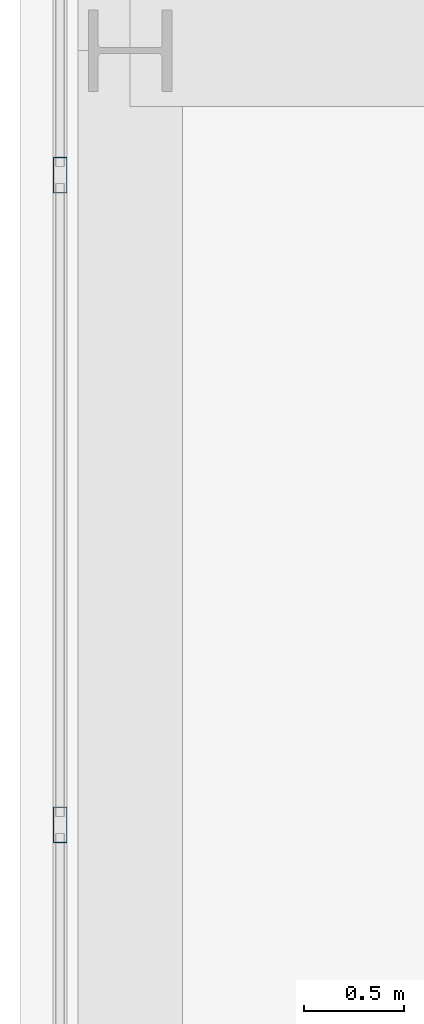
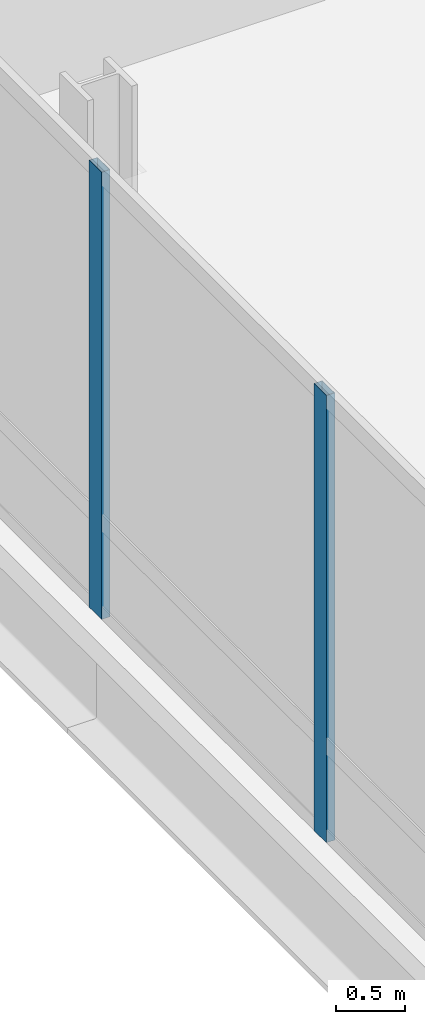
# One storey, part 10 of 46: 2 members, 1 element without a shape of its own.
"""IFC4 building model written with IfcOpenShell, lengths in metres."""

from ifc_helpers import new_model, si_unit, direction, frame, origin, origin_2d, place, context, subcontext, project, spatial, hollow_rectangle, extrude, material, material_profile, profile_set, type_object, element, aggregate, save


model = new_model("IFC4")

# Units and contexts
model_context = context("Model", 3, precision=1e-05, world=origin(), true_north=direction((0.0, 1.0)))
body_context = subcontext(model_context, "Body", "Model", "MODEL_VIEW")
ifc_project = project(units=[si_unit("LENGTHUNIT", "METRE"), si_unit("AREAUNIT", "SQUARE_METRE"), si_unit("VOLUMEUNIT", "CUBIC_METRE"), si_unit("PLANEANGLEUNIT", "RADIAN"), si_unit("MASSUNIT", "GRAM", prefix="KILO")], contexts=[model_context])

# Site, building, storey
site_placement = place(None, origin())
site = spatial("IfcSite", under=ifc_project, at=site_placement, CompositionType="ELEMENT")
building_placement = place(site_placement, origin())
building = spatial("IfcBuilding", under=site, at=building_placement, Name="Punatoya Terracotta Tower", CompositionType="ELEMENT")
storey_placement = place(building_placement, frame((0.0, 0.0, 330.0)))
storey = spatial("IfcBuildingStorey", under=building, at=storey_placement, Name="L78", CompositionType="ELEMENT", Elevation=330.0)

# Curtain wall, members
ifc_material_1 = material(Name="Aluminium 6063-T6 + Double Low-E Glass", Category="aluminium")
curtain_wall_type = type_object("IfcCurtainWallType", Name="CW-OBS", PredefinedType="NOTDEFINED", material=ifc_material_1)
curtain_wall_placement = place(storey_placement, origin())
curtain_wall = element("IfcCurtainWall", 1, at=curtain_wall_placement, inside=storey, type_object=curtain_wall_type, Name="L78 Curtain Wall CW-L78-W13-1", PredefinedType="NOTDEFINED")
ifc_material_2 = material(Name="Aluminium 6063-T6", Category="aluminium")
ifc_material_profile = material_profile(ifc_material_2, hollow_rectangle(XDim=0.070068359375, YDim=0.179931640625, WallThickness=0.00390625, at=origin_2d()))
ifc_profile_set = profile_set([ifc_material_profile], Name="Aluminium 6063-T6")
member_type = type_object("IfcMemberType", Name="CW-MUL-M3", PredefinedType="MULLION", material=ifc_profile_set)
member_1_placement = place(storey_placement, frame((-24.85009765625, -4.021484375, 0.0), z_axis=(0.0, 0.0, 1.0), x_axis=(1.0, 0.0, 0.0)))
member_1 = element("IfcMember", 2, at=member_1_placement, type_object=member_type, Name="CW-L78-W13-1 Mullion 06", PredefinedType="MULLION", context=body_context, shape_type="SweptSolid", body=[
    extrude(hollow_rectangle(XDim=0.070068359375, YDim=0.179931640625, WallThickness=0.00390625, at=origin_2d()), origin(), (0.0, 0.0, 1.0), 3.93994140625),
])
member_2_placement = place(storey_placement, frame((-24.85009765625, -7.2646484375, 0.0), z_axis=(0.0, 0.0, 1.0), x_axis=(1.0, 0.0, 0.0)))
member_2 = element("IfcMember", 3, at=member_2_placement, type_object=member_type, Name="CW-L78-W13-1 Mullion 07", PredefinedType="MULLION", context=body_context, shape_type="SweptSolid", body=[
    extrude(hollow_rectangle(XDim=0.070068359375, YDim=0.179931640625, WallThickness=0.00390625, at=origin_2d()), origin(), (0.0, 0.0, 1.0), 3.93994140625),
])
aggregate(curtain_wall, [member_1, member_2])

save(model, "model.ifc")
